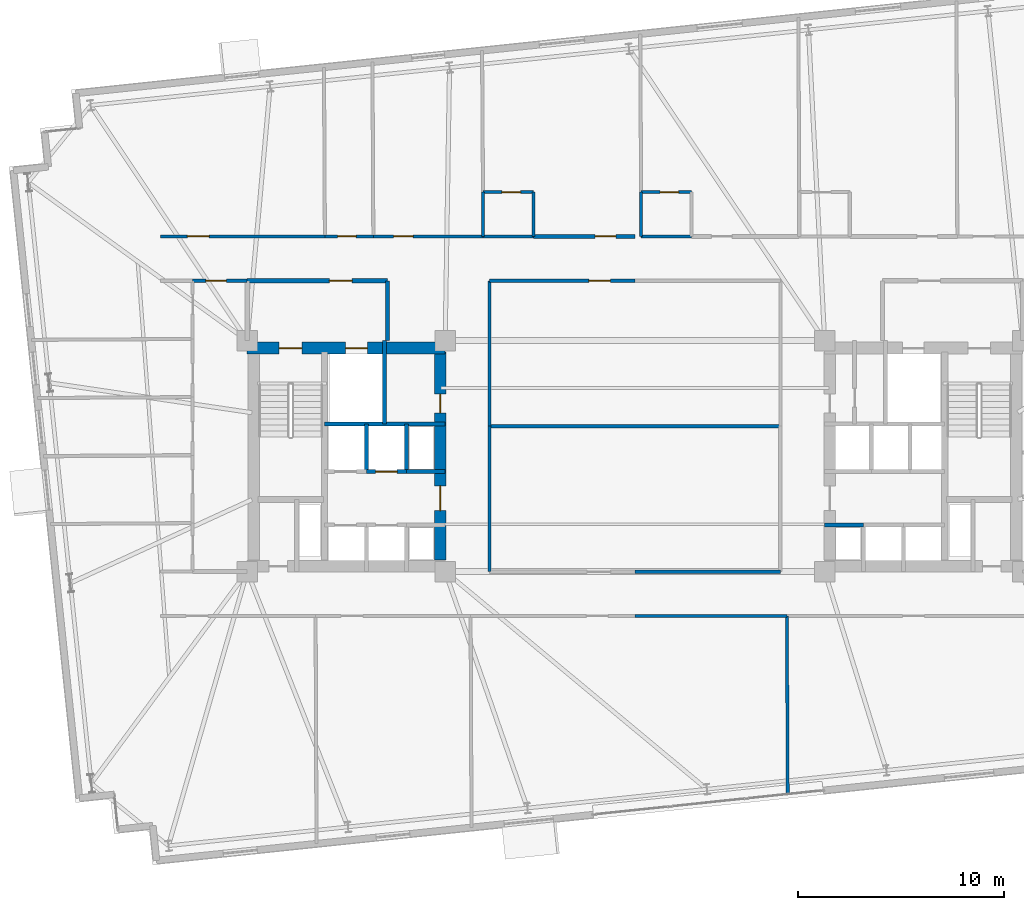
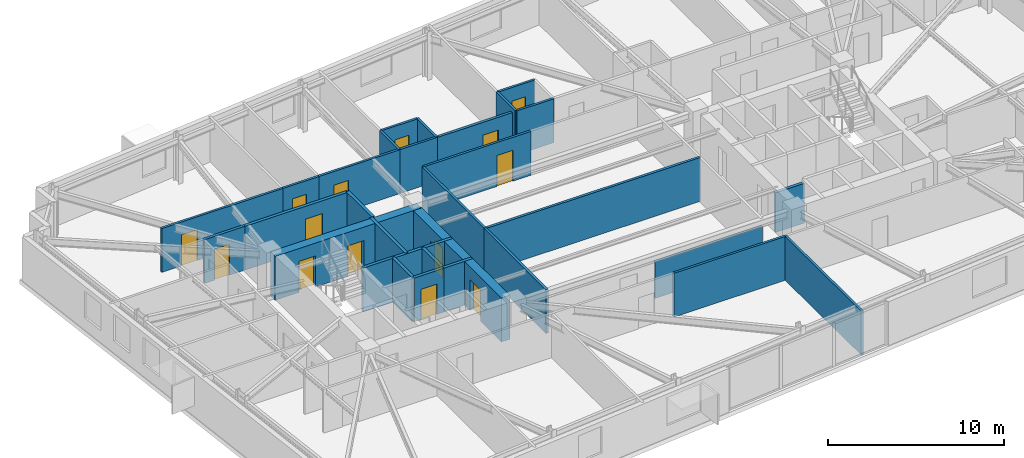
# One storey, part 17 of 22: 30 walls, 14 doors, 14 openings.
"""IFC4 building model written with IfcOpenShell, lengths in metres."""

from ifc_helpers import new_model, si_unit, direction, frame, frame_2d, origin, place, context, subcontext, project, spatial, rectangle, extrude, material, layer, layer_set, type_object, element, fill, save


model = new_model("IFC4")

# Units and contexts
model_context = context("Model", 3, precision=1e-05, world=origin(), true_north=direction((0.0, 1.0)))
body_context = subcontext(model_context, "Body", "Model", "MODEL_VIEW")
ifc_project = project(units=[si_unit("LENGTHUNIT", "METRE"), si_unit("AREAUNIT", "SQUARE_METRE"), si_unit("VOLUMEUNIT", "CUBIC_METRE"), si_unit("PLANEANGLEUNIT", "RADIAN"), si_unit("MASSUNIT", "GRAM", prefix="KILO")], contexts=[model_context])

# Site, building, storey
site_placement = place(None, origin())
site = spatial("IfcSite", under=ifc_project, at=site_placement, CompositionType="ELEMENT")
building_placement = place(site_placement, origin())
building = spatial("IfcBuilding", under=site, at=building_placement, Name="Qobustan Lattice House", CompositionType="ELEMENT")
storey_placement = place(building_placement, frame((0.0, 0.0, 99.10009765625)))
storey = spatial("IfcBuildingStorey", under=building, at=storey_placement, Name="L27", CompositionType="ELEMENT", Elevation=99.10009765625)

# Wall, openings, doors
ifc_material_1 = material(Name="Concrete C60/75", Category="concrete")
ifc_layer_1 = layer(ifc_material_1, 0.56005859375)
ifc_layer_set_1 = layer_set([ifc_layer_1], Name="Concrete C60/75")
wall_type_1 = type_object("IfcWallType", Name="WAL-CORE-600", PredefinedType="SHEAR", material=ifc_layer_set_1)
wall_1_placement = place(storey_placement, frame((-18.800048828125, 5.239990234375, 0.0), z_axis=(0.0, 0.0, 1.0), x_axis=(1.0, 0.0, 0.0)))
wall_1 = element("IfcWall", 1, at=wall_1_placement, inside=storey, type_object=wall_type_1, Name="L27 split-core shear wall CW-N", PredefinedType="SHEAR", context=body_context, shape_type="SweptSolid", body=[
    extrude(rectangle(XDim=9.60009765625, YDim=0.56005859375, at=frame_2d((4.800048828125, 0.0))), origin(), (0.0, 0.0, 1.0), 3.044921875),
])
opening_1_placement = place(wall_1_placement, frame((1.550048828125, 0.0, 0.0)))
opening_1 = element("IfcOpeningElement", 2, at=opening_1_placement, cuts=wall_1, Name="Opening SD-01", PredefinedType="OPENING", context=body_context, shape_type="SweptSolid", body=[
    extrude(rectangle(XDim=1.10009765625, YDim=2.14990234375, at=frame_2d((0.550048828125, 1.074951171875))), frame((0.0, 0.2900390625, 0.0), z_axis=(0.0, -1.0, 0.0), x_axis=(1.0, 0.0, 0.0)), (0.0, 0.0, 1.0), 0.580078125),
])
opening_2_placement = place(wall_1_placement, frame((4.77490234375, 0.0, 0.0)))
opening_2 = element("IfcOpeningElement", 3, at=opening_2_placement, cuts=wall_1, Name="Opening LD-01", PredefinedType="OPENING", context=body_context, shape_type="SweptSolid", body=[
    extrude(rectangle(XDim=1.050048828125, YDim=2.10009765625, at=frame_2d((0.52490234375, 1.050048828125))), frame((0.0, 0.2900390625, 0.0), z_axis=(0.0, -1.0, 0.0), x_axis=(1.0, 0.0, 0.0)), (0.0, 0.0, 1.0), 0.580078125),
])
ifc_material_2 = material(Name="Persian walnut timber and steel frame door", Category="steel")
door_type_1 = type_object("IfcDoorType", Name="DOR-LIFT-LD-1050x2100", OperationType="NOTDEFINED", PredefinedType="DOOR", material=ifc_material_2)
door_1_placement = place(opening_2_placement, origin())
door_1 = element("IfcDoor", 4, at=door_1_placement, inside=storey, type_object=door_type_1, Name="L27 firefighting lift FF-W landing door", OperationType="DOUBLE_DOOR_SLIDING", OverallHeight=2.10009765625, OverallWidth=1.050048828125, PredefinedType="DOOR", context=body_context, shape_type="SweptSolid", body=[
    extrude(rectangle(XDim=1.050048828125, YDim=2.10009765625, at=frame_2d((0.52490234375, 1.050048828125))), frame((0.0, 0.02490234375, 0.0), z_axis=(0.0, -1.0, 0.0), x_axis=(1.0, 0.0, 0.0)), (0.0, 0.0, 1.0), 0.050048828125),
])
fill(opening_2, door_1)
ifc_material_3 = material(Name="Persian walnut timber and steel frame door", Category="steel")
door_type_2 = type_object("IfcDoorType", Name="DOR-STAIR-FD-1100x2150", OperationType="NOTDEFINED", PredefinedType="DOOR", material=ifc_material_3)
door_2_placement = place(opening_1_placement, origin())
door_2 = element("IfcDoor", 5, at=door_2_placement, inside=storey, type_object=door_type_2, Name="L27 exit stair ST-W1 fire door", OperationType="SINGLE_SWING_LEFT", OverallHeight=2.14990234375, OverallWidth=1.10009765625, PredefinedType="DOOR", context=body_context, shape_type="SweptSolid", body=[
    extrude(rectangle(XDim=1.10009765625, YDim=2.14990234375, at=frame_2d((0.550048828125, 1.074951171875))), frame((0.0, 0.02490234375, 0.0), z_axis=(0.0, -1.0, 0.0), x_axis=(1.0, 0.0, 0.0)), (0.0, 0.0, 1.0), 0.050048828125),
])
fill(opening_1, door_2)

wall_2_placement = place(storey_placement, frame((-9.449951171875, -5.050048828125, 0.0), z_axis=(0.0, 0.0, 1.0), x_axis=(0.0, 1.0, 0.0)))
wall_2 = element("IfcWall", 6, at=wall_2_placement, inside=storey, type_object=wall_type_1, Name="L27 split-core shear wall CW-E", PredefinedType="SHEAR", context=body_context, shape_type="SweptSolid", body=[
    extrude(rectangle(XDim=10.10009765625, YDim=0.56005859375, at=frame_2d((5.050048828125, 0.0))), origin(), (0.0, 0.0, 1.0), 3.044921875),
])
opening_3_placement = place(wall_2_placement, frame((7.14990234375, 0.0, 0.0)))
opening_3 = element("IfcOpeningElement", 7, at=opening_3_placement, cuts=wall_2, Name="Opening RD-01", PredefinedType="OPENING", context=body_context, shape_type="SweptSolid", body=[
    extrude(rectangle(XDim=0.89990234375, YDim=2.10009765625, at=frame_2d((0.449951171875, 1.050048828125))), frame((0.0, 0.2900390625, 0.0), z_axis=(0.0, -1.0, 0.0), x_axis=(1.0, 0.0, 0.0)), (0.0, 0.0, 1.0), 0.580078125),
])
opening_4_placement = place(wall_2_placement, frame((2.39990234375, 0.0, 0.0)))
opening_4 = element("IfcOpeningElement", 8, at=opening_4_placement, cuts=wall_2, Name="Opening FD-01", PredefinedType="OPENING", context=body_context, shape_type="SweptSolid", body=[
    extrude(rectangle(XDim=1.199951171875, YDim=2.14990234375, at=frame_2d((0.60009765625, 1.074951171875))), frame((0.0, 0.2900390625, 0.0), z_axis=(0.0, -1.0, 0.0), x_axis=(1.0, 0.0, 0.0)), (0.0, 0.0, 1.0), 0.580078125),
])
ifc_material_4 = material(Name="Persian walnut timber and steel frame door", Category="steel")
door_type_3 = type_object("IfcDoorType", Name="DOR-LOBBY-FD-1200x2150", OperationType="NOTDEFINED", PredefinedType="DOOR", material=ifc_material_4)
door_3_placement = place(opening_4_placement, origin())
door_3 = element("IfcDoor", 9, at=door_3_placement, inside=storey, type_object=door_type_3, Name="L27 West passenger lift lobby fire door", OperationType="SINGLE_SWING_LEFT", OverallHeight=2.14990234375, OverallWidth=1.199951171875, PredefinedType="DOOR", context=body_context, shape_type="SweptSolid", body=[
    extrude(rectangle(XDim=1.199951171875, YDim=2.14990234375, at=frame_2d((0.60009765625, 1.074951171875))), frame((0.0, 0.02490234375, 0.0), z_axis=(0.0, -1.0, 0.0), x_axis=(1.0, 0.0, 0.0)), (0.0, 0.0, 1.0), 0.050048828125),
])
fill(opening_4, door_3)
ifc_material_5 = material(Name="Persian walnut timber and steel frame door", Category="steel")
door_type_4 = type_object("IfcDoorType", Name="DOR-RISER-FD-900x2100", OperationType="NOTDEFINED", PredefinedType="DOOR", material=ifc_material_5)
door_4_placement = place(opening_3_placement, origin())
door_4 = element("IfcDoor", 10, at=door_4_placement, inside=storey, type_object=door_type_4, Name="L27 Floor tea pantry fire door", OperationType="SINGLE_SWING_RIGHT", OverallHeight=2.10009765625, OverallWidth=0.89990234375, PredefinedType="DOOR", context=body_context, shape_type="SweptSolid", body=[
    extrude(rectangle(XDim=0.89990234375, YDim=2.10009765625, at=frame_2d((0.449951171875, 1.050048828125))), frame((0.0, 0.02490234375, 0.0), z_axis=(0.0, -1.0, 0.0), x_axis=(1.0, 0.0, 0.0)), (0.0, 0.0, 1.0), 0.050048828125),
])
fill(opening_3, door_4)

# Wall, opening, door
ifc_material_6 = material(Name="Gypsum fireboard acoustic partition", Category="gypsum")
ifc_layer_2 = layer(ifc_material_6, 0.179931640625)
ifc_layer_set_2 = layer_set([ifc_layer_2], Name="Gypsum fireboard acoustic partition")
wall_type_2 = type_object("IfcWallType", Name="WAL-FIRE-180", PredefinedType="PARTITIONING", material=ifc_layer_set_2)
wall_3_placement = place(storey_placement, frame((-18.800048828125, 8.5, 0.0), z_axis=(0.0, 0.0, 1.0), x_axis=(-1.0, 0.0, 0.0)))
wall_3 = element("IfcWall", 11, at=wall_3_placement, inside=storey, type_object=wall_type_2, Name="L27 interior partition 36", PredefinedType="PARTITIONING", context=body_context, shape_type="SweptSolid", body=[
    extrude(rectangle(XDim=2.64990234375, YDim=0.179931640625, at=frame_2d((1.324951171875, 0.0))), origin(), (0.0, 0.0, 1.0), 3.044921875),
])
opening_5_placement = place(wall_3_placement, frame((1.0087890625, 0.0, 0.0)))
opening_5 = element("IfcOpeningElement", 12, at=opening_5_placement, cuts=wall_3, Name="Opening FD-02", PredefinedType="OPENING", context=body_context, shape_type="SweptSolid", body=[
    extrude(rectangle(XDim=1.0, YDim=2.14990234375, at=frame_2d((0.5, 1.074951171875))), frame((0.0, 0.099853515625, 0.0), z_axis=(0.0, -1.0, 0.0), x_axis=(1.0, 0.0, 0.0)), (0.0, 0.0, 1.0), 0.199951171875),
])
ifc_material_7 = material(Name="Persian walnut timber and steel frame door", Category="steel")
door_type_5 = type_object("IfcDoorType", Name="DOR-UNIT-FD-1000x2150", OperationType="NOTDEFINED", PredefinedType="DOOR", material=ifc_material_7)
door_5_placement = place(opening_5_placement, origin())
door_5 = element("IfcDoor", 13, at=door_5_placement, inside=storey, type_object=door_type_5, Name="L27 North-west floor corridor to Residence entrance hall L27W door", OperationType="SINGLE_SWING_RIGHT", OverallHeight=2.14990234375, OverallWidth=1.0, PredefinedType="DOOR", context=body_context, shape_type="SweptSolid", body=[
    extrude(rectangle(XDim=1.0, YDim=2.14990234375, at=frame_2d((0.5, 1.074951171875))), frame((0.0, 0.02490234375, 0.0), z_axis=(0.0, -1.0, 0.0), x_axis=(1.0, 0.0, 0.0)), (0.0, 0.0, 1.0), 0.050048828125),
])
fill(opening_5, door_5)

wall_4_placement = place(storey_placement, frame((-4.9169921875, 10.64990234375, 0.0), z_axis=(0.0, 0.0, 1.0), x_axis=(1.0, 0.0, 0.0)))
wall_4 = element("IfcWall", 14, at=wall_4_placement, inside=storey, type_object=wall_type_2, Name="L27 interior partition 41", PredefinedType="PARTITIONING", context=body_context, shape_type="SweptSolid", body=[
    extrude(rectangle(XDim=4.9169921875, YDim=0.179931640625, at=frame_2d((2.45849609375, 0.0))), origin(), (0.0, 0.0, 1.0), 3.044921875),
])
opening_6_placement = place(wall_4_placement, frame((2.992431640625, 0.0, 0.0)))
opening_6 = element("IfcOpeningElement", 15, at=opening_6_placement, cuts=wall_4, Name="Opening FD-02", PredefinedType="OPENING", context=body_context, shape_type="SweptSolid", body=[
    extrude(rectangle(XDim=1.0, YDim=2.14990234375, at=frame_2d((0.5, 1.074951171875))), frame((0.0, 0.099853515625, 0.0), z_axis=(0.0, -1.0, 0.0), x_axis=(1.0, 0.0, 0.0)), (0.0, 0.0, 1.0), 0.199951171875),
])
door_6_placement = place(opening_6_placement, origin())
door_6 = element("IfcDoor", 16, at=door_6_placement, inside=storey, type_object=door_type_5, Name="L27 North-west floor corridor to Kitchenette and studio apartment L27-N3 door", OperationType="SINGLE_SWING_RIGHT", OverallHeight=2.14990234375, OverallWidth=1.0, PredefinedType="DOOR", context=body_context, shape_type="SweptSolid", body=[
    extrude(rectangle(XDim=1.0, YDim=2.14990234375, at=frame_2d((0.5, 1.074951171875))), frame((0.0, 0.02490234375, 0.0), z_axis=(0.0, -1.0, 0.0), x_axis=(1.0, 0.0, 0.0)), (0.0, 0.0, 1.0), 0.050048828125),
])
fill(opening_6, door_6)

ifc_material_8 = material(Name="Acoustic twin-stud gypsum partition", Category="gypsum")
ifc_layer_3 = layer(ifc_material_8, 0.14990234375)
ifc_layer_set_3 = layer_set([ifc_layer_3], Name="Acoustic twin-stud gypsum partition")
wall_type_3 = type_object("IfcWallType", Name="WAL-PART-150", PredefinedType="PARTITIONING", material=ifc_layer_set_3)
wall_5_placement = place(storey_placement, frame((-23.0, 10.64990234375, 0.0), z_axis=(0.0, 0.0, 1.0), x_axis=(1.0, 0.0, 0.0)))
wall_5 = element("IfcWall", 17, at=wall_5_placement, inside=storey, type_object=wall_type_3, Name="L27 interior partition 38", PredefinedType="PARTITIONING", context=body_context, shape_type="SweptSolid", body=[
    extrude(rectangle(XDim=7.967041015625, YDim=0.14990234375, at=frame_2d((3.9833984375, 0.0))), origin(), (0.0, 0.0, 1.0), 3.044921875),
])
opening_7_placement = place(wall_5_placement, frame((1.299560546875, 0.0, 0.0)))
opening_7 = element("IfcOpeningElement", 18, at=opening_7_placement, cuts=wall_5, Name="Opening ID-02", PredefinedType="OPENING", context=body_context, shape_type="SweptSolid", body=[
    extrude(rectangle(XDim=1.050048828125, YDim=2.14990234375, at=frame_2d((0.52490234375, 1.074951171875))), frame((0.0, 0.0849609375, 0.0), z_axis=(0.0, -1.0, 0.0), x_axis=(1.0, 0.0, 0.0)), (0.0, 0.0, 1.0), 0.169921875),
])
ifc_material_9 = material(Name="Persian walnut timber and steel frame door", Category="steel")
door_type_6 = type_object("IfcDoorType", Name="DOR-STUDY-1050x2150", OperationType="NOTDEFINED", PredefinedType="DOOR", material=ifc_material_9)
door_7_placement = place(opening_7_placement, origin())
door_7 = element("IfcDoor", 19, at=door_7_placement, inside=storey, type_object=door_type_6, Name="L27 North-west floor corridor to Focus study room N1 door", OperationType="SINGLE_SWING_LEFT", OverallHeight=2.14990234375, OverallWidth=1.050048828125, PredefinedType="DOOR", context=body_context, shape_type="SweptSolid", body=[
    extrude(rectangle(XDim=1.050048828125, YDim=2.14990234375, at=frame_2d((0.52490234375, 1.074951171875))), frame((0.0, 0.02490234375, 0.0), z_axis=(0.0, -1.0, 0.0), x_axis=(1.0, 0.0, 0.0)), (0.0, 0.0, 1.0), 0.050048828125),
])
fill(opening_7, door_7)

wall_6_placement = place(storey_placement, frame((-12.68310546875, 10.64990234375, 0.0), z_axis=(0.0, 0.0, 1.0), x_axis=(1.0, 0.0, 0.0)))
wall_6 = element("IfcWall", 20, at=wall_6_placement, inside=storey, type_object=wall_type_3, Name="L27 interior partition 40", PredefinedType="PARTITIONING", context=body_context, shape_type="SweptSolid", body=[
    extrude(rectangle(XDim=5.316162109375, YDim=0.14990234375, at=frame_2d((2.658203125, 0.0))), origin(), (0.0, 0.0, 1.0), 3.044921875),
])
opening_8_placement = place(wall_6_placement, frame((0.980712890625, 0.0, 0.0)))
opening_8 = element("IfcOpeningElement", 21, at=opening_8_placement, cuts=wall_6, Name="Opening ID-01", PredefinedType="OPENING", context=body_context, shape_type="SweptSolid", body=[
    extrude(rectangle(XDim=0.949951171875, YDim=2.10009765625, at=frame_2d((0.47509765625, 1.050048828125))), frame((0.0, 0.0849609375, 0.0), z_axis=(0.0, -1.0, 0.0), x_axis=(1.0, 0.0, 0.0)), (0.0, 0.0, 1.0), 0.169921875),
])
ifc_material_10 = material(Name="Persian walnut timber and steel frame door", Category="steel")
door_type_7 = type_object("IfcDoorType", Name="DOR-ROOM-950x2100", OperationType="NOTDEFINED", PredefinedType="DOOR", material=ifc_material_10)
door_8_placement = place(opening_8_placement, origin())
door_8 = element("IfcDoor", 22, at=door_8_placement, inside=storey, type_object=door_type_7, Name="L27 North-west floor corridor to Laundry utility room door", OperationType="SINGLE_SWING_LEFT", OverallHeight=2.10009765625, OverallWidth=0.949951171875, PredefinedType="DOOR", context=body_context, shape_type="SweptSolid", body=[
    extrude(rectangle(XDim=0.949951171875, YDim=2.10009765625, at=frame_2d((0.47509765625, 1.050048828125))), frame((0.0, 0.02490234375, 0.0), z_axis=(0.0, -1.0, 0.0), x_axis=(1.0, 0.0, 0.0)), (0.0, 0.0, 1.0), 0.050048828125),
])
fill(opening_8, door_8)

wall_7_placement = place(storey_placement, frame((0.0, 8.5, 0.0), z_axis=(0.0, 0.0, 1.0), x_axis=(-1.0, 0.0, 0.0)))
wall_7 = element("IfcWall", 23, at=wall_7_placement, inside=storey, type_object=wall_type_3, Name="L27 interior partition 43", PredefinedType="PARTITIONING", context=body_context, shape_type="SweptSolid", body=[
    extrude(rectangle(XDim=7.050048828125, YDim=0.14990234375, at=frame_2d((3.52490234375, 0.0))), origin(), (0.0, 0.0, 1.0), 3.044921875),
])
opening_9_placement = place(wall_7_placement, frame((1.18505859375, 0.0, 0.0)))
opening_9 = element("IfcOpeningElement", 24, at=opening_9_placement, cuts=wall_7, Name="Opening ID-02", PredefinedType="OPENING", context=body_context, shape_type="SweptSolid", body=[
    extrude(rectangle(XDim=1.050048828125, YDim=2.14990234375, at=frame_2d((0.52490234375, 1.074951171875))), frame((0.0, 0.0849609375, 0.0), z_axis=(0.0, -1.0, 0.0), x_axis=(1.0, 0.0, 0.0)), (0.0, 0.0, 1.0), 0.169921875),
])
door_9_placement = place(opening_9_placement, origin())
door_9 = element("IfcDoor", 25, at=door_9_placement, inside=storey, type_object=door_type_6, Name="L27 North-west floor corridor to Central collaborative study room door", OperationType="SINGLE_SWING_LEFT", OverallHeight=2.14990234375, OverallWidth=1.050048828125, PredefinedType="DOOR", context=body_context, shape_type="SweptSolid", body=[
    extrude(rectangle(XDim=1.050048828125, YDim=2.14990234375, at=frame_2d((0.52490234375, 1.074951171875))), frame((0.0, 0.02490234375, 0.0), z_axis=(0.0, -1.0, 0.0), x_axis=(1.0, 0.0, 0.0)), (0.0, 0.0, 1.0), 0.050048828125),
])
fill(opening_9, door_9)

# Walls
wall_8_placement = place(storey_placement, frame((7.366943359375, -7.75, 0.0), z_axis=(0.0, 0.0, 1.0), x_axis=(-1.0, 0.0, 0.0)))
element("IfcWall", 26, at=wall_8_placement, inside=storey, type_object=wall_type_3, Name="L27 interior partition 61", PredefinedType="PARTITIONING", context=body_context, shape_type="SweptSolid", body=[
    extrude(rectangle(XDim=7.366943359375, YDim=0.14990234375, at=frame_2d((3.68359375, 0.0))), origin(), (0.0, 0.0, 1.0), 3.044921875),
])
wall_9_placement = place(storey_placement, frame((-7.050048828125, 8.5, 0.0), z_axis=(0.0, 0.0, 1.0), x_axis=(0.0, -1.0, 0.0)))
element("IfcWall", 27, at=wall_9_placement, inside=storey, type_object=wall_type_3, Name="L27 interior partition 65", PredefinedType="PARTITIONING", context=body_context, shape_type="SweptSolid", body=[
    extrude(rectangle(XDim=7.050048828125, YDim=0.14990234375, at=frame_2d((3.52490234375, 0.0))), origin(), (0.0, 0.0, 1.0), 3.044921875),
])
wall_10_placement = place(storey_placement, frame((7.366943359375, -7.75, 0.0), z_axis=(0.0, 0.0, 1.0), x_axis=(0.005084967311, -0.99998707147, 0.0)))
element("IfcWall", 28, at=wall_10_placement, inside=storey, type_object=wall_type_3, Name="L27 interior partition 106", PredefinedType="PARTITIONING", context=body_context, shape_type="SweptSolid", body=[
    extrude(rectangle(XDim=8.64208984375, YDim=0.14990234375, at=frame_2d((4.321044921875, 0.0))), origin(), (0.0, 0.0, 1.0), 3.044921875),
])
ifc_material_11 = material(Name="High-mass acoustic twin-stud partition", Category="gypsum")
ifc_layer_4 = layer(ifc_material_11, 0.1650390625)
ifc_layer_set_4 = layer_set([ifc_layer_4], Name="High-mass acoustic twin-stud partition")
wall_type_4 = type_object("IfcWallType", Name="WAL-PART-165", PredefinedType="PARTITIONING", material=ifc_layer_set_4)
wall_11_placement = place(storey_placement, frame((0.0, -5.60009765625, 0.0), z_axis=(0.0, 0.0, 1.0), x_axis=(1.0, 0.0, 0.0)))
element("IfcWall", 29, at=wall_11_placement, inside=storey, type_object=wall_type_4, Name="L27 interior partition 63", PredefinedType="PARTITIONING", context=body_context, shape_type="SweptSolid", body=[
    extrude(rectangle(XDim=7.050048828125, YDim=0.1650390625, at=frame_2d((3.52490234375, 0.0))), origin(), (0.0, 0.0, 1.0), 2.52978515625),
])
wall_12_placement = place(storey_placement, frame((-7.050048828125, 1.449951171875, 0.0), z_axis=(0.0, 0.0, 1.0), x_axis=(0.0, -1.0, 0.0)))
element("IfcWall", 30, at=wall_12_placement, inside=storey, type_object=wall_type_4, Name="L27 interior partition 64", PredefinedType="PARTITIONING", context=body_context, shape_type="SweptSolid", body=[
    extrude(rectangle(XDim=7.050048828125, YDim=0.1650390625, at=frame_2d((3.52490234375, 0.0))), origin(), (0.0, 0.0, 1.0), 3.044921875),
])
wall_13_placement = place(storey_placement, frame((-7.050048828125, 1.449951171875, 0.0), z_axis=(0.0, 0.0, 1.0), x_axis=(1.0, 0.0, 0.0)))
element("IfcWall", 31, at=wall_13_placement, inside=storey, type_object=wall_type_4, Name="L27 interior partition 107", PredefinedType="PARTITIONING", context=body_context, shape_type="SweptSolid", body=[
    extrude(rectangle(XDim=14.10009765625, YDim=0.1650390625, at=frame_2d((7.050048828125, 0.0))), origin(), (0.0, 0.0, 1.0), 3.044921875),
])

# Wall, opening, door
ifc_material_12 = material(Name="Two-hour gypsum fireboard acoustic partition", Category="gypsum")
ifc_layer_5 = layer(ifc_material_12, 0.199951171875)
ifc_layer_set_5 = layer_set([ifc_layer_5], Name="Two-hour gypsum fireboard acoustic partition")
wall_type_5 = type_object("IfcWallType", Name="WAL-PROT-200", PredefinedType="PARTITIONING", material=ifc_layer_set_5)
wall_14_placement = place(storey_placement, frame((-12.0, 8.5, 0.0), z_axis=(0.0, 0.0, 1.0), x_axis=(-1.0, 0.0, 0.0)))
wall_14 = element("IfcWall", 32, at=wall_14_placement, inside=storey, type_object=wall_type_5, Name="L27 interior partition 3", PredefinedType="PARTITIONING", context=body_context, shape_type="SweptSolid", body=[
    extrude(rectangle(XDim=6.800048828125, YDim=0.199951171875, at=frame_2d((3.39990234375, 0.0))), origin(), (0.0, 0.0, 1.0), 3.044921875),
])
opening_10_placement = place(wall_14_placement, frame((1.715087890625, 0.0, 0.0)))
opening_10 = element("IfcOpeningElement", 33, at=opening_10_placement, cuts=wall_14, Name="Opening SD-01", PredefinedType="OPENING", context=body_context, shape_type="SweptSolid", body=[
    extrude(rectangle(XDim=1.10009765625, YDim=2.14990234375, at=frame_2d((0.550048828125, 1.074951171875))), frame((0.0, 0.10986328125, 0.0), z_axis=(0.0, -1.0, 0.0), x_axis=(1.0, 0.0, 0.0)), (0.0, 0.0, 1.0), 0.219970703125),
])
door_10_placement = place(opening_10_placement, origin())
door_10 = element("IfcDoor", 34, at=door_10_placement, inside=storey, type_object=door_type_2, Name="L27 West firefighting lift lobby to North-west floor corridor door", OperationType="SINGLE_SWING_LEFT", OverallHeight=2.14990234375, OverallWidth=1.10009765625, PredefinedType="DOOR", context=body_context, shape_type="SweptSolid", body=[
    extrude(rectangle(XDim=1.10009765625, YDim=2.14990234375, at=frame_2d((0.550048828125, 1.074951171875))), frame((0.0, 0.02490234375, 0.0), z_axis=(0.0, -1.0, 0.0), x_axis=(1.0, 0.0, 0.0)), (0.0, 0.0, 1.0), 0.050048828125),
])
fill(opening_10, door_10)

# Walls
wall_15_placement = place(storey_placement, frame((-12.0, 5.60009765625, 0.0), z_axis=(0.0, 0.0, 1.0), x_axis=(0.0, 1.0, 0.0)))
element("IfcWall", 35, at=wall_15_placement, inside=storey, type_object=wall_type_5, Name="L27 interior partition 4", PredefinedType="PARTITIONING", context=body_context, shape_type="SweptSolid", body=[
    extrude(rectangle(XDim=2.89990234375, YDim=0.199951171875, at=frame_2d((1.449951171875, 0.0))), origin(), (0.0, 0.0, 1.0), 3.044921875),
])
ifc_material_13 = material(Name="Concrete C40/50", Category="concrete")
ifc_layer_6 = layer(ifc_material_13, 0.199951171875)
ifc_layer_set_6 = layer_set([ifc_layer_6], Name="Concrete C40/50")
wall_type_6 = type_object("IfcWallType", Name="WAL-SHAFT-200", PredefinedType="PARTITIONING", material=ifc_layer_set_6)
wall_16_placement = place(storey_placement, frame((-12.14990234375, 1.550048828125, 0.0), z_axis=(0.0, 0.0, 1.0), x_axis=(0.0, 1.0, 0.0)))
element("IfcWall", 36, at=wall_16_placement, inside=storey, type_object=wall_type_6, Name="L27 interior partition 2", PredefinedType="PARTITIONING", context=body_context, shape_type="SweptSolid", body=[
    extrude(rectangle(XDim=4.050048828125, YDim=0.199951171875, at=frame_2d((2.02490234375, 0.0))), origin(), (0.0, 0.0, 1.0), 3.044921875),
])

# Wall, opening, door
wall_17_placement = place(storey_placement, frame((-11.080078125, -0.75, 0.0), z_axis=(0.0, 0.0, 1.0), x_axis=(-1.0, 0.0, 0.0)))
wall_17 = element("IfcWall", 37, at=wall_17_placement, inside=storey, type_object=wall_type_6, Name="L27 interior partition 11", PredefinedType="PARTITIONING", context=body_context, shape_type="SweptSolid", body=[
    extrude(rectangle(XDim=1.93994140625, YDim=0.199951171875, at=frame_2d((0.969970703125, 0.0))), origin(), (0.0, 0.0, 1.0), 3.044921875),
])
opening_11_placement = place(wall_17_placement, frame((0.445068359375, 0.0, 0.0)))
opening_11 = element("IfcOpeningElement", 38, at=opening_11_placement, cuts=wall_17, Name="Opening LD-01", PredefinedType="OPENING", context=body_context, shape_type="SweptSolid", body=[
    extrude(rectangle(XDim=1.050048828125, YDim=2.10009765625, at=frame_2d((0.52490234375, 1.050048828125))), frame((0.0, 0.10986328125, 0.0), z_axis=(0.0, -1.0, 0.0), x_axis=(1.0, 0.0, 0.0)), (0.0, 0.0, 1.0), 0.219970703125),
])
door_11_placement = place(opening_11_placement, origin())
door_11 = element("IfcDoor", 39, at=door_11_placement, inside=storey, type_object=door_type_1, Name="L27 lift landing door", OperationType="DOUBLE_DOOR_SLIDING", OverallHeight=2.10009765625, OverallWidth=1.050048828125, PredefinedType="DOOR", context=body_context, shape_type="SweptSolid", body=[
    extrude(rectangle(XDim=1.050048828125, YDim=2.10009765625, at=frame_2d((0.52490234375, 1.050048828125))), frame((0.0, 0.02490234375, 0.0), z_axis=(0.0, -1.0, 0.0), x_axis=(1.0, 0.0, 0.0)), (0.0, 0.0, 1.0), 0.050048828125),
])
fill(opening_11, door_11)

# Walls
wall_18_placement = place(storey_placement, frame((-9.199951171875, -0.75, 0.0), z_axis=(0.0, 0.0, 1.0), x_axis=(-1.0, 0.0, 0.0)))
element("IfcWall", 40, at=wall_18_placement, inside=storey, type_object=wall_type_6, Name="L27 interior partition 12", PredefinedType="PARTITIONING", context=body_context, shape_type="SweptSolid", body=[
    extrude(rectangle(XDim=1.880126953125, YDim=0.199951171875, at=frame_2d((0.93994140625, 0.0))), origin(), (0.0, 0.0, 1.0), 3.044921875),
])
for number, where, z_axis, x_axis, name in (
    (41, (-13.02001953125, -0.75, 0.0), (0.0, 0.0, 1.0), (0.0, 1.0, 0.0), "L27 interior partition 16"),
    (42, (-11.080078125, -0.75, 0.0), (0.0, 0.0, 1.0), (0.0, 1.0, 0.0), "L27 interior partition 17"),
):
    element("IfcWall", number, at=place(storey_placement, frame(where, z_axis=z_axis, x_axis=x_axis)), inside=storey, type_object=wall_type_6, Name=name, PredefinedType="PARTITIONING", context=body_context, shape_type="SweptSolid", body=[
        extrude(rectangle(XDim=2.300048828125, YDim=0.199951171875, at=frame_2d((1.14990234375, 0.0))), origin(), (0.0, 0.0, 1.0), 3.044921875),
    ])
wall_19_placement = place(storey_placement, frame((9.199951171875, -3.35009765625, 0.0), z_axis=(0.0, 0.0, 1.0), x_axis=(1.0, 0.0, 0.0)))
element("IfcWall", 43, at=wall_19_placement, inside=storey, type_object=wall_type_6, Name="L27 interior partition 25", PredefinedType="PARTITIONING", context=body_context, shape_type="SweptSolid", body=[
    extrude(rectangle(XDim=1.880126953125, YDim=0.199951171875, at=frame_2d((0.93994140625, 0.0))), origin(), (0.0, 0.0, 1.0), 2.760009765625),
])
wall_20_placement = place(storey_placement, frame((-15.050048828125, 1.550048828125, 0.0), z_axis=(0.0, 0.0, 1.0), x_axis=(1.0, 0.0, 0.0)))
element("IfcWall", 44, at=wall_20_placement, inside=storey, type_object=wall_type_6, Name="L27 interior partition 108", PredefinedType="PARTITIONING", context=body_context, shape_type="SweptSolid", body=[
    extrude(rectangle(XDim=5.85009765625, YDim=0.199951171875, at=frame_2d((2.925048828125, 0.0))), origin(), (0.0, 0.0, 1.0), 3.044921875),
])

# Wall, opening, door
ifc_material_14 = material(Name="Moisture-resistant acoustic plumbing wall", Category="gypsum")
ifc_layer_7 = layer(ifc_material_14, 0.14990234375)
ifc_layer_set_7 = layer_set([ifc_layer_7], Name="Moisture-resistant acoustic plumbing wall")
wall_type_7 = type_object("IfcWallType", Name="WAL-WET-150", PredefinedType="PLUMBINGWALL", material=ifc_layer_set_7)
wall_21_placement = place(storey_placement, frame((-15.032958984375, 10.64990234375, 0.0), z_axis=(0.0, 0.0, 1.0), x_axis=(1.0, 0.0, 0.0)))
wall_21 = element("IfcWall", 45, at=wall_21_placement, inside=storey, type_object=wall_type_7, Name="L27 interior partition 39", PredefinedType="PLUMBINGWALL", context=body_context, shape_type="SweptSolid", body=[
    extrude(rectangle(XDim=2.349853515625, YDim=0.14990234375, at=frame_2d((1.1748046875, 0.0))), origin(), (0.0, 0.0, 1.0), 3.044921875),
])
opening_12_placement = place(wall_21_placement, frame((0.6162109375, 0.0, 0.0)))
opening_12 = element("IfcOpeningElement", 46, at=opening_12_placement, cuts=wall_21, Name="Opening WD-01", PredefinedType="OPENING", context=body_context, shape_type="SweptSolid", body=[
    extrude(rectangle(XDim=0.89990234375, YDim=2.10009765625, at=frame_2d((0.449951171875, 1.050048828125))), frame((0.0, 0.0849609375, 0.0), z_axis=(0.0, -1.0, 0.0), x_axis=(1.0, 0.0, 0.0)), (0.0, 0.0, 1.0), 0.169921875),
])
ifc_material_15 = material(Name="Persian walnut timber and steel frame door", Category="steel")
door_type_8 = type_object("IfcDoorType", Name="DOR-WET-900x2100", OperationType="NOTDEFINED", PredefinedType="DOOR", material=ifc_material_15)
door_12_placement = place(opening_12_placement, origin())
door_12 = element("IfcDoor", 47, at=door_12_placement, inside=storey, type_object=door_type_8, Name="L27 North-west floor corridor to Accessible WC door", OperationType="SINGLE_SWING_RIGHT", OverallHeight=2.10009765625, OverallWidth=0.89990234375, PredefinedType="DOOR", context=body_context, shape_type="SweptSolid", body=[
    extrude(rectangle(XDim=0.89990234375, YDim=2.10009765625, at=frame_2d((0.449951171875, 1.050048828125))), frame((0.0, 0.02490234375, 0.0), z_axis=(0.0, -1.0, 0.0), x_axis=(1.0, 0.0, 0.0)), (0.0, 0.0, 1.0), 0.050048828125),
])
fill(opening_12, door_12)

# Walls
for number, where, z_axis, x_axis, name in (
    (48, (-7.366943359375, 10.64990234375, 0.0), (0.0, 0.0, 1.0), (1.0, 0.0, 0.0), "L27 interior partition 42"),
    (49, (0.300048828125, 10.64990234375, 0.0), (0.0, 0.0, 1.0), (1.0, 0.0, 0.0), "L27 interior partition 47"),
):
    element("IfcWall", number, at=place(storey_placement, frame(where, z_axis=z_axis, x_axis=x_axis)), inside=storey, type_object=wall_type_7, Name=name, PredefinedType="PLUMBINGWALL", context=body_context, shape_type="SweptSolid", body=[
        extrude(rectangle(XDim=2.449951171875, YDim=0.14990234375, at=frame_2d((1.22509765625, 0.0))), origin(), (0.0, 0.0, 1.0), 3.044921875),
    ])
wall_22_placement = place(storey_placement, frame((-7.366943359375, 12.800048828125, 0.0), z_axis=(0.0, 0.0, 1.0), x_axis=(0.0, -1.0, 0.0)))
element("IfcWall", 50, at=wall_22_placement, inside=storey, type_object=wall_type_7, Name="L27 interior partition 91", PredefinedType="PLUMBINGWALL", context=body_context, shape_type="SweptSolid", body=[
    extrude(rectangle(XDim=2.150146484375, YDim=0.14990234375, at=frame_2d((1.0751953125, 0.0))), origin(), (0.0, 0.0, 1.0), 3.044921875),
])

# Wall, opening, door
wall_23_placement = place(storey_placement, frame((-4.9169921875, 12.800048828125, 0.0), z_axis=(0.0, 0.0, 1.0), x_axis=(-1.0, 0.0, 0.0)))
wall_23 = element("IfcWall", 51, at=wall_23_placement, inside=storey, type_object=wall_type_7, Name="L27 interior partition 92", PredefinedType="PLUMBINGWALL", context=body_context, shape_type="SweptSolid", body=[
    extrude(rectangle(XDim=2.449951171875, YDim=0.14990234375, at=frame_2d((1.22509765625, 0.0))), origin(), (0.0, 0.0, 1.0), 3.044921875),
])
opening_13_placement = place(wall_23_placement, frame((0.62890625, 0.0, 0.0)))
opening_13 = element("IfcOpeningElement", 52, at=opening_13_placement, cuts=wall_23, Name="Opening WD-01", PredefinedType="OPENING", context=body_context, shape_type="SweptSolid", body=[
    extrude(rectangle(XDim=0.89990234375, YDim=2.10009765625, at=frame_2d((0.449951171875, 1.050048828125))), frame((0.0, 0.0849609375, 0.0), z_axis=(0.0, -1.0, 0.0), x_axis=(1.0, 0.0, 0.0)), (0.0, 0.0, 1.0), 0.169921875),
])
door_13_placement = place(opening_13_placement, origin())
door_13 = element("IfcDoor", 53, at=door_13_placement, inside=storey, type_object=door_type_8, Name="L27 Kitchenette and studio apartment L27-N3 to En-suite bathroom L27-N3 door", OperationType="SINGLE_SWING_RIGHT", OverallHeight=2.10009765625, OverallWidth=0.89990234375, PredefinedType="DOOR", context=body_context, shape_type="SweptSolid", body=[
    extrude(rectangle(XDim=0.89990234375, YDim=2.10009765625, at=frame_2d((0.449951171875, 1.050048828125))), frame((0.0, 0.02490234375, 0.0), z_axis=(0.0, -1.0, 0.0), x_axis=(1.0, 0.0, 0.0)), (0.0, 0.0, 1.0), 0.050048828125),
])
fill(opening_13, door_13)

# Walls
for number, where, z_axis, x_axis, name in (
    (54, (-4.9169921875, 10.64990234375, 0.0), (0.0, 0.0, 1.0), (0.0, 1.0, 0.0), "L27 interior partition 93"),
    (55, (0.300048828125, 12.800048828125, 0.0), (0.0, 0.0, 1.0), (0.0, -1.0, 0.0), "L27 interior partition 95"),
):
    element("IfcWall", number, at=place(storey_placement, frame(where, z_axis=z_axis, x_axis=x_axis)), inside=storey, type_object=wall_type_7, Name=name, PredefinedType="PLUMBINGWALL", context=body_context, shape_type="SweptSolid", body=[
        extrude(rectangle(XDim=2.150146484375, YDim=0.14990234375, at=frame_2d((1.0751953125, 0.0))), origin(), (0.0, 0.0, 1.0), 3.044921875),
    ])

# Wall, opening, door
wall_24_placement = place(storey_placement, frame((2.75, 12.800048828125, 0.0), z_axis=(0.0, 0.0, 1.0), x_axis=(-1.0, 0.0, 0.0)))
wall_24 = element("IfcWall", 56, at=wall_24_placement, inside=storey, type_object=wall_type_7, Name="L27 interior partition 96", PredefinedType="PLUMBINGWALL", context=body_context, shape_type="SweptSolid", body=[
    extrude(rectangle(XDim=2.449951171875, YDim=0.14990234375, at=frame_2d((1.22509765625, 0.0))), origin(), (0.0, 0.0, 1.0), 3.044921875),
])
opening_14_placement = place(wall_24_placement, frame((0.62890625, 0.0, 0.0)))
opening_14 = element("IfcOpeningElement", 57, at=opening_14_placement, cuts=wall_24, Name="Opening WD-01", PredefinedType="OPENING", context=body_context, shape_type="SweptSolid", body=[
    extrude(rectangle(XDim=0.89990234375, YDim=2.10009765625, at=frame_2d((0.449951171875, 1.050048828125))), frame((0.0, 0.0849609375, 0.0), z_axis=(0.0, -1.0, 0.0), x_axis=(1.0, 0.0, 0.0)), (0.0, 0.0, 1.0), 0.169921875),
])
door_14_placement = place(opening_14_placement, origin())
door_14 = element("IfcDoor", 58, at=door_14_placement, inside=storey, type_object=door_type_8, Name="L27 Kitchenette and studio apartment L27-N4 to En-suite bathroom L27-N4 door", OperationType="SINGLE_SWING_LEFT", OverallHeight=2.10009765625, OverallWidth=0.89990234375, PredefinedType="DOOR", context=body_context, shape_type="SweptSolid", body=[
    extrude(rectangle(XDim=0.89990234375, YDim=2.10009765625, at=frame_2d((0.449951171875, 1.050048828125))), frame((0.0, 0.02490234375, 0.0), z_axis=(0.0, -1.0, 0.0), x_axis=(1.0, 0.0, 0.0)), (0.0, 0.0, 1.0), 0.050048828125),
])
fill(opening_14, door_14)

save(model, "model.ifc")
